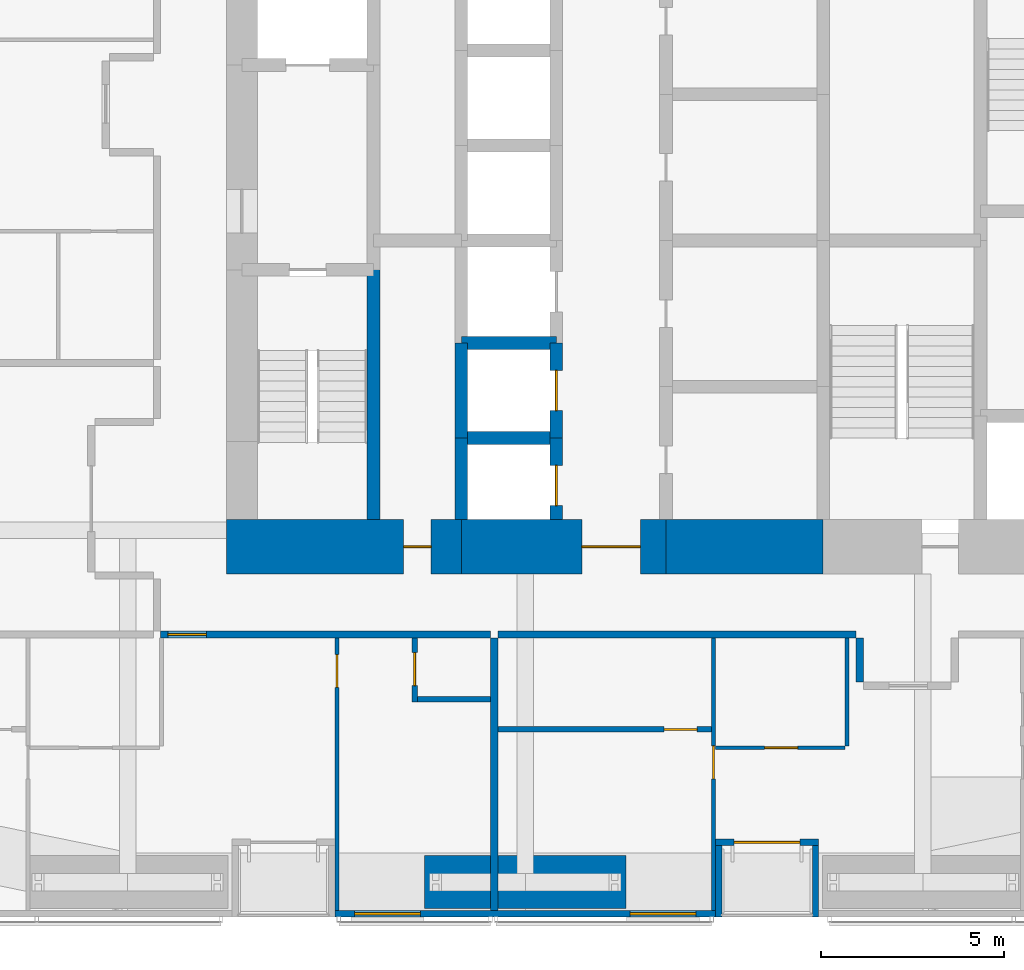
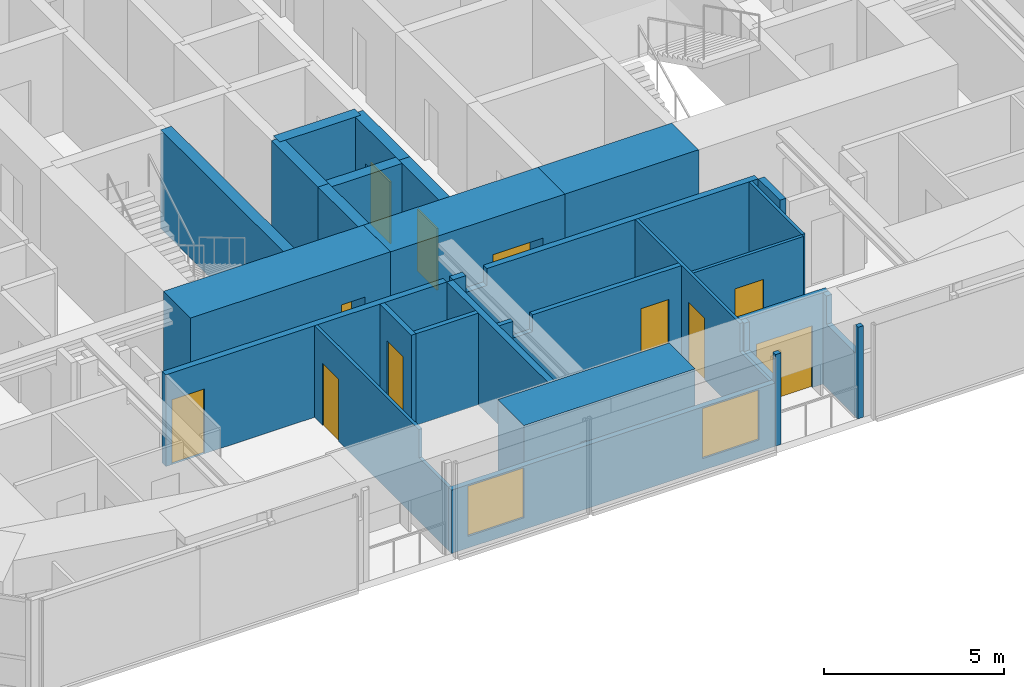
# One storey, part 18 of 24: 26 walls, 11 doors, 2 windows, 13 openings.
"""IFC4 building model written with IfcOpenShell, lengths in metres."""

from ifc_helpers import new_model, si_unit, direction, frame, frame_2d, origin, place, context, subcontext, project, spatial, polyline, rectangle, outline, extrude, material, layer, layer_set, constituent, constituent_set, type_object, element, fill, save


model = new_model("IFC4")

# Units and contexts
model_context = context("Model", 3, precision=1e-05, world=origin(), true_north=direction((0.0, 1.0)))
body_context = subcontext(model_context, "Body", "Model", "MODEL_VIEW")
ifc_project = project(units=[si_unit("LENGTHUNIT", "METRE"), si_unit("AREAUNIT", "SQUARE_METRE"), si_unit("VOLUMEUNIT", "CUBIC_METRE"), si_unit("PLANEANGLEUNIT", "RADIAN"), si_unit("MASSUNIT", "GRAM", prefix="KILO")], contexts=[model_context])

# Site, building, storey
site_placement = place(None, origin())
site = spatial("IfcSite", under=ifc_project, at=site_placement, CompositionType="ELEMENT")
building_placement = place(site_placement, origin())
building = spatial("IfcBuilding", under=site, at=building_placement, Name="Jalousie Tower", CompositionType="ELEMENT")
storey_placement = place(building_placement, frame((0.0, 0.0, 124.949951171875)))
storey = spatial("IfcBuildingStorey", under=building, at=storey_placement, Name="L34", CompositionType="ELEMENT", Elevation=124.949951171875)

# Wall, opening, door
ifc_material_1 = material(Name="Concrete block ASTM C90", Category="concrete")
ifc_constituent_1 = constituent(ifc_material_1, Name="Body")
ifc_material_2 = material(Name="Render")
ifc_constituent_2 = constituent(ifc_material_2, Name="Finish")
ifc_constituent_set_1 = constituent_set(constituents=[ifc_constituent_1, ifc_constituent_2])
wall_type_1 = type_object("IfcWallType", Name="BATHROOM WALL 150", PredefinedType="PLUMBINGWALL", material=ifc_constituent_set_1)
wall_1_placement = place(storey_placement, frame((27.0, 5.125, 0.0), z_axis=(0.0, 0.0, 1.0), x_axis=(1.0, 0.0, 0.0)))
wall_1 = element("IfcWall", 1, at=wall_1_placement, inside=storey, type_object=wall_type_1, Name="Bathroom Wall 150 L34", PredefinedType="PLUMBINGWALL", context=body_context, shape_type="SweptSolid", body=[
    extrude(outline(polyline([(0.0, 0.0), (5.85009765625, 0.0), (5.85009765625, 3.110107421875), (1.0625, 3.110107421875), (1.0625, 2.541015625), (0.4375, 2.541015625), (0.4375, 3.110107421875), (0.0, 3.110107421875), (0.0, 0.0)])), frame((0.0, 0.074951171875, 0.0), z_axis=(0.0, -1.0, 0.0), x_axis=(1.0, 0.0, 0.0)), (0.0, 0.0, 1.0), 0.14990234375),
])
opening_1_placement = place(wall_1_placement, frame((4.550048828125, 0.0, 0.0)))
opening_1 = element("IfcOpeningElement", 2, at=opening_1_placement, cuts=wall_1, Name="Opening D3", PredefinedType="OPENING", context=body_context, shape_type="SweptSolid", body=[
    extrude(rectangle(XDim=0.89990234375, YDim=2.10009765625, at=frame_2d((0.449951171875, 1.050048828125))), frame((0.0, 0.0849609375, 0.0), z_axis=(0.0, -1.0, 0.0), x_axis=(1.0, 0.0, 0.0)), (0.0, 0.0, 1.0), 0.169921875),
])
ifc_material_3 = material(Name="Timber door", Category="wood")
door_type_1 = type_object("IfcDoorType", Name="BATHROOM DOOR 900", OperationType="SINGLE_SWING_LEFT", PredefinedType="DOOR", material=ifc_material_3)
door_1_placement = place(opening_1_placement, origin())
door_1 = element("IfcDoor", 3, at=door_1_placement, inside=storey, type_object=door_type_1, Name="Apartment 3402 bedroom 1 bathroom door", OperationType="SINGLE_SWING_RIGHT", OverallHeight=2.10009765625, OverallWidth=0.89990234375, PredefinedType="DOOR", context=body_context, shape_type="SweptSolid", body=[
    extrude(rectangle(XDim=0.89990234375, YDim=2.10009765625, at=frame_2d((0.449951171875, 1.050048828125))), frame((0.0, 0.02490234375, 0.0), z_axis=(0.0, -1.0, 0.0), x_axis=(1.0, 0.0, 0.0)), (0.0, 0.0, 1.0), 0.050048828125),
])
fill(opening_1, door_1)

wall_2_placement = place(storey_placement, frame((24.72509765625, 7.625, 0.0), z_axis=(0.0, 0.0, 1.0), x_axis=(0.0, -1.0, 0.0)))
wall_2 = element("IfcWall", 4, at=wall_2_placement, inside=storey, type_object=wall_type_1, Name="Bathroom Wall 150 L34", PredefinedType="PLUMBINGWALL", context=body_context, shape_type="SweptSolid", body=[
    extrude(rectangle(XDim=1.75, YDim=0.14990234375, at=frame_2d((0.875, 0.0))), origin(), (0.0, 0.0, 1.0), 3.110107421875),
])
opening_2_placement = place(wall_2_placement, frame((0.39990234375, 0.0, 0.0)))
opening_2 = element("IfcOpeningElement", 5, at=opening_2_placement, cuts=wall_2, Name="Opening D7", PredefinedType="OPENING", context=body_context, shape_type="SweptSolid", body=[
    extrude(rectangle(XDim=0.89990234375, YDim=2.10009765625, at=frame_2d((0.449951171875, 1.050048828125))), frame((0.0, 0.0849609375, 0.0), z_axis=(0.0, -1.0, 0.0), x_axis=(1.0, 0.0, 0.0)), (0.0, 0.0, 1.0), 0.169921875),
])
ifc_material_4 = material(Name="Timber door", Category="wood")
door_type_2 = type_object("IfcDoorType", Name="INTERNAL DOOR 900", OperationType="SINGLE_SWING_LEFT", PredefinedType="DOOR", material=ifc_material_4)
door_2_placement = place(opening_2_placement, origin())
door_2 = element("IfcDoor", 6, at=door_2_placement, inside=storey, type_object=door_type_2, Name="Apartment 3401 guest WC door", OperationType="SINGLE_SWING_RIGHT", OverallHeight=2.10009765625, OverallWidth=0.89990234375, PredefinedType="DOOR", context=body_context, shape_type="SweptSolid", body=[
    extrude(rectangle(XDim=0.89990234375, YDim=2.10009765625, at=frame_2d((0.449951171875, 1.050048828125))), frame((0.0, 0.02490234375, 0.0), z_axis=(0.0, -1.0, 0.0), x_axis=(1.0, 0.0, 0.0)), (0.0, 0.0, 1.0), 0.050048828125),
])
fill(opening_2, door_2)

# Wall
wall_3_placement = place(storey_placement, frame((26.800048828125, 5.949951171875, 0.0), z_axis=(0.0, 0.0, 1.0), x_axis=(-1.0, 0.0, 0.0)))
element("IfcWall", 7, at=wall_3_placement, inside=storey, type_object=wall_type_1, Name="Bathroom Wall 150 L34", PredefinedType="PLUMBINGWALL", context=body_context, shape_type="SweptSolid", body=[
    extrude(rectangle(XDim=2.0, YDim=0.14990234375, at=frame_2d((1.0, 0.0))), origin(), (0.0, 0.0, 1.0), 3.110107421875),
])

# Wall, opening, door
ifc_material_5 = material(Name="Concrete f'c 120 MPa", Category="concrete")
ifc_layer_1 = layer(ifc_material_5, 1.5)
ifc_layer_set_1 = layer_set([ifc_layer_1], Name="Concrete f'c 120 MPa")
wall_type_2 = type_object("IfcWallType", Name="CORE WALL 1500", PredefinedType="SHEAR", material=ifc_layer_set_1)
wall_4_placement = place(storey_placement, frame((19.574951171875, 10.125, 0.0), z_axis=(0.0, 0.0, 1.0), x_axis=(1.0, 0.0, 0.0)))
wall_4 = element("IfcWall", 8, at=wall_4_placement, inside=storey, type_object=wall_type_2, Name="Core wall SA L34", PredefinedType="SHEAR", context=body_context, shape_type="SweptSolid", body=[
    extrude(rectangle(XDim=6.425048828125, YDim=1.5, at=frame_2d((3.21240234375, 0.0))), origin(), (0.0, 0.0, 1.0), 3.35009765625),
])
opening_3_placement = place(wall_4_placement, frame((4.85009765625, 0.0, 0.0)))
opening_3 = element("IfcOpeningElement", 9, at=opening_3_placement, cuts=wall_4, Name="Opening D16", PredefinedType="OPENING", context=body_context, shape_type="SweptSolid", body=[
    extrude(rectangle(XDim=0.75, YDim=2.10009765625, at=frame_2d((0.375, 1.050048828125))), frame((0.0, 0.760009765625, 0.0), z_axis=(0.0, -1.0, 0.0), x_axis=(1.0, 0.0, 0.0)), (0.0, 0.0, 1.0), 1.52001953125),
])
ifc_material_6 = material(Name="Steel fire door", Category="steel")
door_type_3 = type_object("IfcDoorType", Name="RISER DOOR 750", OperationType="SINGLE_SWING_LEFT", PredefinedType="DOOR", material=ifc_material_6)
door_3_placement = place(opening_3_placement, origin())
door_3 = element("IfcDoor", 10, at=door_3_placement, inside=storey, type_object=door_type_3, Name="South riser door", OperationType="SINGLE_SWING_LEFT", OverallHeight=2.10009765625, OverallWidth=0.75, PredefinedType="DOOR", context=body_context, shape_type="SweptSolid", body=[
    extrude(rectangle(XDim=0.75, YDim=2.10009765625, at=frame_2d((0.375, 1.050048828125))), frame((0.0, 0.02490234375, 0.0), z_axis=(0.0, -1.0, 0.0), x_axis=(1.0, 0.0, 0.0)), (0.0, 0.0, 1.0), 0.050048828125),
])
fill(opening_3, door_3)

wall_5_placement = place(storey_placement, frame((26.0, 10.125, 0.0), z_axis=(0.0, 0.0, 1.0), x_axis=(1.0, 0.0, 0.0)))
wall_5 = element("IfcWall", 11, at=wall_5_placement, inside=storey, type_object=wall_type_2, Name="Core wall SB L34", PredefinedType="SHEAR", context=body_context, shape_type="SweptSolid", body=[
    extrude(rectangle(XDim=5.60009765625, YDim=1.5, at=frame_2d((2.800048828125, 0.0))), origin(), (0.0, 0.0, 1.0), 3.35009765625),
])
opening_4_placement = place(wall_5_placement, frame((3.300048828125, 0.0, 0.0)))
opening_4 = element("IfcOpeningElement", 12, at=opening_4_placement, cuts=wall_5, Name="Opening D15", PredefinedType="OPENING", context=body_context, shape_type="SweptSolid", body=[
    extrude(rectangle(XDim=1.60009765625, YDim=2.10009765625, at=frame_2d((0.800048828125, 1.050048828125))), frame((0.0, 0.760009765625, 0.0), z_axis=(0.0, -1.0, 0.0), x_axis=(1.0, 0.0, 0.0)), (0.0, 0.0, 1.0), 1.52001953125),
])
ifc_material_7 = material(Name="Steel fire door", Category="steel")
door_type_4 = type_object("IfcDoorType", Name="LIFT LOBBY DOOR 1600", OperationType="DOUBLE_DOOR_SINGLE_SWING", PredefinedType="DOOR", material=ifc_material_7)
door_4_placement = place(opening_4_placement, origin())
door_4 = element("IfcDoor", 13, at=door_4_placement, inside=storey, type_object=door_type_4, Name="Lift lobby south door", OperationType="DOUBLE_DOOR_SINGLE_SWING", OverallHeight=2.10009765625, OverallWidth=1.60009765625, PredefinedType="DOOR", context=body_context, shape_type="SweptSolid", body=[
    extrude(rectangle(XDim=1.60009765625, YDim=2.10009765625, at=frame_2d((0.800048828125, 1.050048828125))), frame((0.0, 0.02490234375, 0.0), z_axis=(0.0, -1.0, 0.0), x_axis=(1.0, 0.0, 0.0)), (0.0, 0.0, 1.0), 0.050048828125),
])
fill(opening_4, door_4)

# Walls
wall_6_placement = place(storey_placement, frame((31.60009765625, 10.125, 0.0), z_axis=(0.0, 0.0, 1.0), x_axis=(1.0, 0.0, 0.0)))
element("IfcWall", 14, at=wall_6_placement, inside=storey, type_object=wall_type_2, Name="Core wall SC L34", PredefinedType="SHEAR", context=body_context, shape_type="SweptSolid", body=[
    extrude(rectangle(XDim=4.2998046875, YDim=1.5, at=frame_2d((2.14990234375, 0.0))), origin(), (0.0, 0.0, 1.0), 3.35009765625),
])
ifc_material_8 = material(Name="Concrete f'c 120 MPa", Category="concrete")
ifc_layer_2 = layer(ifc_material_8, 0.35009765625)
ifc_layer_set_2 = layer_set([ifc_layer_2], Name="Concrete f'c 120 MPa")
wall_type_3 = type_object("IfcWallType", Name="CORE WALL 350", PredefinedType="SHEAR", material=ifc_layer_set_2)
wall_7_placement = place(storey_placement, frame((23.60009765625, 10.875, 0.0), z_axis=(0.0, 0.0, 1.0), x_axis=(0.0, 1.0, 0.0)))
element("IfcWall", 15, at=wall_7_placement, inside=storey, type_object=wall_type_3, Name="Core wall X23.6A L34", PredefinedType="SHEAR", context=body_context, shape_type="SweptSolid", body=[
    extrude(rectangle(XDim=6.824951171875, YDim=0.35009765625, at=frame_2d((3.41259765625, 0.0))), origin(), (0.0, 0.0, 1.0), 3.35009765625),
])
wall_8_placement = place(storey_placement, frame((26.0, 10.875, 0.0), z_axis=(0.0, 0.0, 1.0), x_axis=(0.0, 1.0, 0.0)))
element("IfcWall", 16, at=wall_8_placement, inside=storey, type_object=wall_type_3, Name="Core wall X26A L34", PredefinedType="SHEAR", context=body_context, shape_type="SweptSolid", body=[
    extrude(rectangle(XDim=2.22509765625, YDim=0.35009765625, at=frame_2d((1.112548828125, 0.0))), origin(), (0.0, 0.0, 1.0), 3.35009765625),
])
wall_9_placement = place(storey_placement, frame((26.0, 13.10009765625, 0.0), z_axis=(0.0, 0.0, 1.0), x_axis=(0.0, 1.0, 0.0)))
element("IfcWall", 17, at=wall_9_placement, inside=storey, type_object=wall_type_3, Name="Core wall X26B L34", PredefinedType="SHEAR", context=body_context, shape_type="SweptSolid", body=[
    extrude(rectangle(XDim=2.599853515625, YDim=0.35009765625, at=frame_2d((1.2998046875, 0.0))), origin(), (0.0, 0.0, 1.0), 3.35009765625),
])

# Wall, opening, door
wall_10_placement = place(storey_placement, frame((28.60009765625, 10.875, 0.0), z_axis=(0.0, 0.0, 1.0), x_axis=(0.0, 1.0, 0.0)))
wall_10 = element("IfcWall", 18, at=wall_10_placement, inside=storey, type_object=wall_type_3, Name="Core wall X28.6A L34", PredefinedType="SHEAR", context=body_context, shape_type="SweptSolid", body=[
    extrude(rectangle(XDim=2.22509765625, YDim=0.35009765625, at=frame_2d((1.112548828125, 0.0))), origin(), (0.0, 0.0, 1.0), 3.35009765625),
])
opening_5_placement = place(wall_10_placement, frame((0.375, 0.0, 0.0)))
opening_5 = element("IfcOpeningElement", 19, at=opening_5_placement, cuts=wall_10, Name="Opening LD1", PredefinedType="OPENING", context=body_context, shape_type="SweptSolid", body=[
    extrude(rectangle(XDim=1.10009765625, YDim=2.10009765625, at=frame_2d((0.550048828125, 1.050048828125))), frame((0.0, 0.18505859375, 0.0), z_axis=(0.0, -1.0, 0.0), x_axis=(1.0, 0.0, 0.0)), (0.0, 0.0, 1.0), 0.3701171875),
])
ifc_material_9 = material(Name="Steel lift landing door", Category="steel")
door_type_5 = type_object("IfcDoorType", Name="LIFT LANDING DOOR 1100", OperationType="SLIDING_TO_LEFT", PredefinedType="DOOR", material=ifc_material_9)
door_5_placement = place(opening_5_placement, origin())
door_5 = element("IfcDoor", 20, at=door_5_placement, inside=storey, type_object=door_type_5, Name="Lift P1 landing door", OperationType="SLIDING_TO_LEFT", OverallHeight=2.10009765625, OverallWidth=1.10009765625, PredefinedType="DOOR", context=body_context, shape_type="SweptSolid", body=[
    extrude(rectangle(XDim=1.10009765625, YDim=2.10009765625, at=frame_2d((0.550048828125, 1.050048828125))), frame((0.0, 0.02490234375, 0.0), z_axis=(0.0, -1.0, 0.0), x_axis=(1.0, 0.0, 0.0)), (0.0, 0.0, 1.0), 0.050048828125),
])
fill(opening_5, door_5)

wall_11_placement = place(storey_placement, frame((28.60009765625, 13.10009765625, 0.0), z_axis=(0.0, 0.0, 1.0), x_axis=(0.0, 1.0, 0.0)))
wall_11 = element("IfcWall", 21, at=wall_11_placement, inside=storey, type_object=wall_type_3, Name="Core wall X28.6B L34", PredefinedType="SHEAR", context=body_context, shape_type="SweptSolid", body=[
    extrude(rectangle(XDim=2.599853515625, YDim=0.35009765625, at=frame_2d((1.2998046875, 0.0))), origin(), (0.0, 0.0, 1.0), 3.35009765625),
])
opening_6_placement = place(wall_11_placement, frame((0.75, 0.0, 0.0)))
opening_6 = element("IfcOpeningElement", 22, at=opening_6_placement, cuts=wall_11, Name="Opening LD1", PredefinedType="OPENING", context=body_context, shape_type="SweptSolid", body=[
    extrude(rectangle(XDim=1.10009765625, YDim=2.10009765625, at=frame_2d((0.550048828125, 1.050048828125))), frame((0.0, 0.18505859375, 0.0), z_axis=(0.0, -1.0, 0.0), x_axis=(1.0, 0.0, 0.0)), (0.0, 0.0, 1.0), 0.3701171875),
])
door_6_placement = place(opening_6_placement, origin())
door_6 = element("IfcDoor", 23, at=door_6_placement, inside=storey, type_object=door_type_5, Name="Lift P2 landing door", OperationType="SLIDING_TO_LEFT", OverallHeight=2.10009765625, OverallWidth=1.10009765625, PredefinedType="DOOR", context=body_context, shape_type="SweptSolid", body=[
    extrude(rectangle(XDim=1.10009765625, YDim=2.10009765625, at=frame_2d((0.550048828125, 1.050048828125))), frame((0.0, 0.02490234375, 0.0), z_axis=(0.0, -1.0, 0.0), x_axis=(1.0, 0.0, 0.0)), (0.0, 0.0, 1.0), 0.050048828125),
])
fill(opening_6, door_6)

# Walls
for number, where, z_axis, x_axis, name in (
    (24, (26.0, 13.10009765625, 0.0), (0.0, 0.0, 1.0), (1.0, 0.0, 0.0), "Core wall Y26-13.1 L34"),
    (25, (26.0, 15.699951171875, 0.0), (0.0, 0.0, 1.0), (1.0, 0.0, 0.0), "Core wall Y26-15.7 L34"),
):
    element("IfcWall", number, at=place(storey_placement, frame(where, z_axis=z_axis, x_axis=x_axis)), inside=storey, type_object=wall_type_3, Name=name, PredefinedType="SHEAR", context=body_context, shape_type="SweptSolid", body=[
        extrude(rectangle(XDim=2.60009765625, YDim=0.35009765625, at=frame_2d((1.300048828125, 0.0))), origin(), (0.0, 0.0, 1.0), 3.35009765625),
    ])

# Wall, opening, door
ifc_material_10 = material(Name="Concrete block ASTM C90", Category="concrete")
ifc_constituent_3 = constituent(ifc_material_10, Name="Body")
ifc_material_11 = material(Name="Render")
ifc_constituent_4 = constituent(ifc_material_11, Name="Finish")
ifc_constituent_set_2 = constituent_set(constituents=[ifc_constituent_3, ifc_constituent_4])
wall_type_4 = type_object("IfcWallType", Name="CORRIDOR WALL 200", PredefinedType="PARTITIONING", material=ifc_constituent_set_2)
wall_12_placement = place(storey_placement, frame((17.77490234375, 7.72509765625, 0.0), z_axis=(0.0, 0.0, 1.0), x_axis=(1.0, 0.0, 0.0)))
wall_12 = element("IfcWall", 26, at=wall_12_placement, inside=storey, type_object=wall_type_4, Name="Corridor Wall 200 L34", PredefinedType="PARTITIONING", context=body_context, shape_type="SweptSolid", body=[
    extrude(rectangle(XDim=9.025146484375, YDim=0.199951171875, at=frame_2d((4.5126953125, 0.0))), origin(), (0.0, 0.0, 1.0), 3.110107421875),
])
opening_7_placement = place(wall_12_placement, frame((0.199951171875, 0.0, 0.0)))
opening_7 = element("IfcOpeningElement", 27, at=opening_7_placement, cuts=wall_12, Name="Opening D1", PredefinedType="OPENING", context=body_context, shape_type="SweptSolid", body=[
    extrude(rectangle(XDim=1.050048828125, YDim=2.199951171875, at=frame_2d((0.52490234375, 1.10009765625))), frame((0.0, 0.10986328125, 0.0), z_axis=(0.0, -1.0, 0.0), x_axis=(1.0, 0.0, 0.0)), (0.0, 0.0, 1.0), 0.219970703125),
])
ifc_material_12 = material(Name="Timber fire door", Category="wood")
door_type_6 = type_object("IfcDoorType", Name="APARTMENT ENTRANCE DOOR 1050", OperationType="SINGLE_SWING_LEFT", PredefinedType="DOOR", material=ifc_material_12)
door_7_placement = place(opening_7_placement, frame((1.050048828125, 0.0, 0.0), z_axis=(0.0, 0.0, 1.0), x_axis=(-1.0, 0.0, 0.0)))
door_7 = element("IfcDoor", 28, at=door_7_placement, inside=storey, type_object=door_type_6, Name="Apartment 3401 entrance", OperationType="SINGLE_SWING_RIGHT", OverallHeight=2.199951171875, OverallWidth=1.050048828125, PredefinedType="DOOR", context=body_context, shape_type="SweptSolid", body=[
    extrude(rectangle(XDim=1.050048828125, YDim=2.199951171875, at=frame_2d((0.52490234375, 1.10009765625))), frame((0.0, 0.02490234375, 0.0), z_axis=(0.0, -1.0, 0.0), x_axis=(1.0, 0.0, 0.0)), (0.0, 0.0, 1.0), 0.050048828125),
])
fill(opening_7, door_7)

# Walls
wall_13_placement = place(storey_placement, frame((27.0, 7.72509765625, 0.0), z_axis=(0.0, 0.0, 1.0), x_axis=(1.0, 0.0, 0.0)))
element("IfcWall", 29, at=wall_13_placement, inside=storey, type_object=wall_type_4, Name="Corridor Wall 200 L34", PredefinedType="PARTITIONING", context=body_context, shape_type="SweptSolid", body=[
    extrude(outline(polyline([(0.0, 0.0), (9.800048828125, 0.0), (9.800048828125, 3.110107421875), (1.08740234375, 3.110107421875), (1.08740234375, 2.541015625), (0.41259765625, 2.541015625), (0.41259765625, 3.110107421875), (0.0, 3.110107421875), (0.0, 0.0)])), frame((0.0, 0.10009765625, 0.0), z_axis=(0.0, -1.0, 0.0), x_axis=(1.0, 0.0, 0.0)), (0.0, 0.0, 1.0), 0.199951171875),
])
wall_14_placement = place(storey_placement, frame((36.89990234375, 7.625, 0.0), z_axis=(0.0, 0.0, 1.0), x_axis=(0.0, -1.0, 0.0)))
element("IfcWall", 30, at=wall_14_placement, inside=storey, type_object=wall_type_4, Name="Corridor Wall 200 L34", PredefinedType="PARTITIONING", context=body_context, shape_type="SweptSolid", body=[
    extrude(rectangle(XDim=1.199951171875, YDim=0.199951171875, at=frame_2d((0.60009765625, 0.0))), origin(), (0.0, 0.0, 1.0), 3.110107421875),
])

# Wall, openings, windows
ifc_material_13 = material(Name="Concrete f'c 40 MPa", Category="concrete")
ifc_constituent_5 = constituent(ifc_material_13, Name="Body")
ifc_material_14 = material(Name="Render, pastel sea green")
ifc_constituent_6 = constituent(ifc_material_14, Name="Finish")
ifc_constituent_set_3 = constituent_set(constituents=[ifc_constituent_5, ifc_constituent_6])
wall_type_5 = type_object("IfcWallType", Name="EXTERNAL WALL 175 SEA GREEN RENDER", PredefinedType="SOLIDWALL", material=ifc_constituent_set_3)
wall_15_placement = place(storey_placement, frame((22.550048828125, 0.08740234375, 0.0), z_axis=(0.0, 0.0, 1.0), x_axis=(1.0, 0.0, 0.0)))
wall_15 = element("IfcWall", 31, at=wall_15_placement, inside=storey, type_object=wall_type_5, Name="External Wall 175 Sea Green Render L34", PredefinedType="SOLIDWALL", context=body_context, shape_type="SweptSolid", body=[
    extrude(rectangle(XDim=10.39990234375, YDim=0.175048828125, at=frame_2d((5.199951171875, 0.0))), origin(), (0.0, 0.0, 1.0), 2.150146484375),
])
opening_8_placement = place(wall_15_placement, frame((0.532470703125, 0.0, 0.39990234375)))
opening_8 = element("IfcOpeningElement", 32, at=opening_8_placement, cuts=wall_15, Name="Opening W-BED170", PredefinedType="OPENING", context=body_context, shape_type="SweptSolid", body=[
    extrude(rectangle(XDim=1.800048828125, YDim=1.699951171875, at=frame_2d((0.89990234375, 0.85009765625))), frame((0.0, 0.097412109375, 0.0), z_axis=(0.0, -1.0, 0.0), x_axis=(1.0, 0.0, 0.0)), (0.0, 0.0, 1.0), 0.195068359375),
])
opening_9_placement = place(wall_15_placement, frame((8.06494140625, 0.0, 0.39990234375)))
opening_9 = element("IfcOpeningElement", 33, at=opening_9_placement, cuts=wall_15, Name="Opening W-BED170", PredefinedType="OPENING", context=body_context, shape_type="SweptSolid", body=[
    extrude(rectangle(XDim=1.800048828125, YDim=1.699951171875, at=frame_2d((0.89990234375, 0.85009765625))), frame((0.0, 0.097412109375, 0.0), z_axis=(0.0, -1.0, 0.0), x_axis=(1.0, 0.0, 0.0)), (0.0, 0.0, 1.0), 0.195068359375),
])
ifc_material_15 = material(Name="Aluminium frame, impact-rated glazing", Category="aluminium")
window_type = type_object("IfcWindowType", Name="WINDOW BED 1800x1700", PartitioningType="SINGLE_PANEL", PredefinedType="WINDOW", material=ifc_material_15)
window_1_placement = place(opening_8_placement, origin())
window_1 = element("IfcWindow", 34, at=window_1_placement, inside=storey, type_object=window_type, Name="Apartment 3401 study window", OverallHeight=1.699951171875, OverallWidth=1.800048828125, PartitioningType="SINGLE_PANEL", PredefinedType="WINDOW", context=body_context, shape_type="SweptSolid", body=[
    extrude(rectangle(XDim=1.800048828125, YDim=1.699951171875, at=frame_2d((0.89990234375, 0.85009765625))), frame((0.0, 0.030029296875, 0.0), z_axis=(0.0, -1.0, 0.0), x_axis=(1.0, 0.0, 0.0)), (0.0, 0.0, 1.0), 0.06005859375),
])
fill(opening_8, window_1)
window_2_placement = place(opening_9_placement, origin())
window_2 = element("IfcWindow", 35, at=window_2_placement, inside=storey, type_object=window_type, Name="Apartment 3402 bedroom 1 window", OverallHeight=1.699951171875, OverallWidth=1.800048828125, PartitioningType="SINGLE_PANEL", PredefinedType="WINDOW", context=body_context, shape_type="SweptSolid", body=[
    extrude(rectangle(XDim=1.800048828125, YDim=1.699951171875, at=frame_2d((0.89990234375, 0.85009765625))), frame((0.0, 0.030029296875, 0.0), z_axis=(0.0, -1.0, 0.0), x_axis=(1.0, 0.0, 0.0)), (0.0, 0.0, 1.0), 0.06005859375),
])
fill(opening_9, window_2)

# Wall, opening, door
wall_16_placement = place(storey_placement, frame((32.949951171875, 2.03759765625, 0.0), z_axis=(0.0, 0.0, 1.0), x_axis=(1.0, 0.0, 0.0)))
wall_16 = element("IfcWall", 36, at=wall_16_placement, inside=storey, type_object=wall_type_5, Name="External Wall 175 Sea Green Render L34", PredefinedType="SOLIDWALL", context=body_context, shape_type="SweptSolid", body=[
    extrude(rectangle(XDim=2.824951171875, YDim=0.175048828125, at=frame_2d((1.41259765625, 0.0))), origin(), (0.0, 0.0, 1.0), 3.110107421875),
])
opening_10_placement = place(wall_16_placement, frame((0.512451171875, 0.0, 0.0)))
opening_10 = element("IfcOpeningElement", 37, at=opening_10_placement, cuts=wall_16, Name="Opening D-BAL21", PredefinedType="OPENING", context=body_context, shape_type="SweptSolid", body=[
    extrude(rectangle(XDim=1.800048828125, YDim=2.10009765625, at=frame_2d((0.89990234375, 1.050048828125))), frame((0.0, 0.097412109375, 0.0), z_axis=(0.0, -1.0, 0.0), x_axis=(1.0, 0.0, 0.0)), (0.0, 0.0, 1.0), 0.195068359375),
])
ifc_material_16 = material(Name="Aluminium frame, impact-rated glazing", Category="aluminium")
door_type_7 = type_object("IfcDoorType", Name="BALCONY DOOR 1800x2100", OperationType="SLIDING_TO_LEFT", PredefinedType="DOOR", material=ifc_material_16)
door_8_placement = place(opening_10_placement, origin())
door_8 = element("IfcDoor", 38, at=door_8_placement, inside=storey, type_object=door_type_7, Name="Apartment 3402 living and dining room loggia door", OperationType="SLIDING_TO_LEFT", OverallHeight=2.10009765625, OverallWidth=1.800048828125, PredefinedType="DOOR", context=body_context, shape_type="SweptSolid", body=[
    extrude(rectangle(XDim=1.800048828125, YDim=2.10009765625, at=frame_2d((0.89990234375, 1.050048828125))), frame((0.0, 0.02490234375, 0.0), z_axis=(0.0, -1.0, 0.0), x_axis=(1.0, 0.0, 0.0)), (0.0, 0.0, 1.0), 0.050048828125),
])
fill(opening_10, door_8)

# Walls
for number, where, z_axis, x_axis, name in (
    (39, (33.03759765625, 0.0, 0.0), (0.0, 0.0, 1.0), (0.0, 1.0, 0.0), "External Wall 175 Sea Green Render L34"),
    (40, (35.6875, 0.0, 0.0), (0.0, 0.0, 1.0), (0.0, 1.0, 0.0), "External Wall 175 Sea Green Render L34"),
):
    element("IfcWall", number, at=place(storey_placement, frame(where, z_axis=z_axis, x_axis=x_axis)), inside=storey, type_object=wall_type_5, Name=name, PredefinedType="SOLIDWALL", context=body_context, shape_type="SweptSolid", body=[
        extrude(outline(polyline([(0.0, 0.0), (1.949951171875, 0.0), (1.949951171875, 3.110107421875), (1.75, 3.110107421875), (1.75, 2.150146484375), (0.14990234375, 2.150146484375), (0.14990234375, 3.110107421875), (0.0, 3.110107421875), (0.0, 0.0)])), frame((0.0, 0.08740234375, 0.0), z_axis=(0.0, -1.0, 0.0), x_axis=(1.0, 0.0, 0.0)), (0.0, 0.0, 1.0), 0.175048828125),
    ])

# Wall, opening, door
ifc_material_17 = material(Name="Gypsum board", Category="gypsum")
ifc_constituent_7 = constituent(ifc_material_17, Name="Body")
ifc_material_18 = material(Name="Light-gauge steel studs ASTM A653 SS Grade 33", Category="steel")
ifc_constituent_8 = constituent(ifc_material_18, Name="Framing")
ifc_constituent_set_4 = constituent_set(constituents=[ifc_constituent_7, ifc_constituent_8])
wall_type_6 = type_object("IfcWallType", Name="PARTITION 100", PredefinedType="PARTITIONING", material=ifc_constituent_set_4)
wall_17_placement = place(storey_placement, frame((22.60009765625, 0.175048828125, 0.0), z_axis=(0.0, 0.0, 1.0), x_axis=(0.0, 1.0, 0.0)))
wall_17 = element("IfcWall", 41, at=wall_17_placement, inside=storey, type_object=wall_type_6, Name="Partition 100 L34", PredefinedType="PARTITIONING", context=body_context, shape_type="SweptSolid", body=[
    extrude(outline(polyline([(0.0, 0.0), (7.449951171875, 0.0), (7.449951171875, 3.110107421875), (1.635009765625, 3.110107421875), (1.635009765625, 2.150146484375), (0.0, 2.150146484375), (0.0, 3.110107421875), (0.0, 0.0)])), frame((0.0, 0.050048828125, 0.0), z_axis=(0.0, -1.0, 0.0), x_axis=(1.0, 0.0, 0.0)), (0.0, 0.0, 1.0), 0.10009765625),
])
opening_11_placement = place(wall_17_placement, frame((6.10009765625, 0.0, 0.0)))
opening_11 = element("IfcOpeningElement", 42, at=opening_11_placement, cuts=wall_17, Name="Opening D2", PredefinedType="OPENING", context=body_context, shape_type="SweptSolid", body=[
    extrude(rectangle(XDim=0.89990234375, YDim=2.10009765625, at=frame_2d((0.449951171875, 1.050048828125))), frame((0.0, 0.06005859375, 0.0), z_axis=(0.0, -1.0, 0.0), x_axis=(1.0, 0.0, 0.0)), (0.0, 0.0, 1.0), 0.1201171875),
])
ifc_material_19 = material(Name="Timber door", Category="wood")
door_type_8 = type_object("IfcDoorType", Name="BEDROOM DOOR 900", OperationType="SINGLE_SWING_LEFT", PredefinedType="DOOR", material=ifc_material_19)
door_9_placement = place(opening_11_placement, frame((0.89990234375, 0.0, 0.0), z_axis=(0.0, 0.0, 1.0), x_axis=(-1.0, 0.0, 0.0)))
door_9 = element("IfcDoor", 43, at=door_9_placement, inside=storey, type_object=door_type_8, Name="Apartment 3401 study door", OperationType="SINGLE_SWING_LEFT", OverallHeight=2.10009765625, OverallWidth=0.89990234375, PredefinedType="DOOR", context=body_context, shape_type="SweptSolid", body=[
    extrude(rectangle(XDim=0.89990234375, YDim=2.10009765625, at=frame_2d((0.449951171875, 1.050048828125))), frame((0.0, 0.02490234375, 0.0), z_axis=(0.0, -1.0, 0.0), x_axis=(1.0, 0.0, 0.0)), (0.0, 0.0, 1.0), 0.050048828125),
])
fill(opening_11, door_9)

wall_18_placement = place(storey_placement, frame((32.89990234375, 0.175048828125, 0.0), z_axis=(0.0, 0.0, 1.0), x_axis=(0.0, 1.0, 0.0)))
wall_18 = element("IfcWall", 44, at=wall_18_placement, inside=storey, type_object=wall_type_6, Name="Partition 100 L34", PredefinedType="PARTITIONING", context=body_context, shape_type="SweptSolid", body=[
    extrude(outline(polyline([(0.0, 0.0), (7.449951171875, 0.0), (7.449951171875, 3.110107421875), (1.635009765625, 3.110107421875), (1.635009765625, 2.150146484375), (0.0, 2.150146484375), (0.0, 3.110107421875), (0.0, 0.0)])), frame((0.0, 0.050048828125, 0.0), z_axis=(0.0, -1.0, 0.0), x_axis=(1.0, 0.0, 0.0)), (0.0, 0.0, 1.0), 0.10009765625),
])
opening_12_placement = place(wall_18_placement, frame((3.60009765625, 0.0, 0.0)))
opening_12 = element("IfcOpeningElement", 45, at=opening_12_placement, cuts=wall_18, Name="Opening D2", PredefinedType="OPENING", context=body_context, shape_type="SweptSolid", body=[
    extrude(rectangle(XDim=0.89990234375, YDim=2.10009765625, at=frame_2d((0.449951171875, 1.050048828125))), frame((0.0, 0.06005859375, 0.0), z_axis=(0.0, -1.0, 0.0), x_axis=(1.0, 0.0, 0.0)), (0.0, 0.0, 1.0), 0.1201171875),
])
door_10_placement = place(opening_12_placement, origin())
door_10 = element("IfcDoor", 46, at=door_10_placement, inside=storey, type_object=door_type_8, Name="Apartment 3402 bedroom 1 door", OperationType="SINGLE_SWING_RIGHT", OverallHeight=2.10009765625, OverallWidth=0.89990234375, PredefinedType="DOOR", context=body_context, shape_type="SweptSolid", body=[
    extrude(rectangle(XDim=0.89990234375, YDim=2.10009765625, at=frame_2d((0.449951171875, 1.050048828125))), frame((0.0, 0.02490234375, 0.0), z_axis=(0.0, -1.0, 0.0), x_axis=(1.0, 0.0, 0.0)), (0.0, 0.0, 1.0), 0.050048828125),
])
fill(opening_12, door_10)

wall_19_placement = place(storey_placement, frame((32.949951171875, 4.625, 0.0), z_axis=(0.0, 0.0, 1.0), x_axis=(1.0, 0.0, 0.0)))
wall_19 = element("IfcWall", 47, at=wall_19_placement, inside=storey, type_object=wall_type_6, Name="Partition 100 L34", PredefinedType="PARTITIONING", context=body_context, shape_type="SweptSolid", body=[
    extrude(rectangle(XDim=3.550048828125, YDim=0.10009765625, at=frame_2d((1.77490234375, 0.0))), origin(), (0.0, 0.0, 1.0), 3.110107421875),
])
opening_13_placement = place(wall_19_placement, frame((1.35009765625, 0.0, 0.0)))
opening_13 = element("IfcOpeningElement", 48, at=opening_13_placement, cuts=wall_19, Name="Opening D7", PredefinedType="OPENING", context=body_context, shape_type="SweptSolid", body=[
    extrude(rectangle(XDim=0.89990234375, YDim=2.10009765625, at=frame_2d((0.449951171875, 1.050048828125))), frame((0.0, 0.06005859375, 0.0), z_axis=(0.0, -1.0, 0.0), x_axis=(1.0, 0.0, 0.0)), (0.0, 0.0, 1.0), 0.1201171875),
])
door_11_placement = place(opening_13_placement, origin())
door_11 = element("IfcDoor", 49, at=door_11_placement, inside=storey, type_object=door_type_2, Name="Apartment 3402 kitchen door", OperationType="SINGLE_SWING_RIGHT", OverallHeight=2.10009765625, OverallWidth=0.89990234375, PredefinedType="DOOR", context=body_context, shape_type="SweptSolid", body=[
    extrude(rectangle(XDim=0.89990234375, YDim=2.10009765625, at=frame_2d((0.449951171875, 1.050048828125))), frame((0.0, 0.02490234375, 0.0), z_axis=(0.0, -1.0, 0.0), x_axis=(1.0, 0.0, 0.0)), (0.0, 0.0, 1.0), 0.050048828125),
])
fill(opening_13, door_11)

# Walls
wall_20_placement = place(storey_placement, frame((36.550048828125, 4.675048828125, 0.0), z_axis=(0.0, 0.0, 1.0), x_axis=(0.0, 1.0, 0.0)))
element("IfcWall", 50, at=wall_20_placement, inside=storey, type_object=wall_type_6, Name="Partition 100 L34", PredefinedType="PARTITIONING", context=body_context, shape_type="SweptSolid", body=[
    extrude(rectangle(XDim=2.949951171875, YDim=0.10009765625, at=frame_2d((1.47509765625, 0.0))), origin(), (0.0, 0.0, 1.0), 3.110107421875),
])
ifc_material_20 = material(Name="Concrete block ASTM C90", Category="concrete")
ifc_constituent_9 = constituent(ifc_material_20, Name="Body")
ifc_material_21 = material(Name="Render")
ifc_constituent_10 = constituent(ifc_material_21, Name="Finish")
ifc_constituent_set_5 = constituent_set(constituents=[ifc_constituent_9, ifc_constituent_10])
wall_type_7 = type_object("IfcWallType", Name="PARTY WALL 200", PredefinedType="PARTITIONING", material=ifc_constituent_set_5)
wall_21_placement = place(storey_placement, frame((26.89990234375, 0.175048828125, 0.0), z_axis=(0.0, 0.0, 1.0), x_axis=(0.0, 1.0, 0.0)))
element("IfcWall", 51, at=wall_21_placement, inside=storey, type_object=wall_type_7, Name="Party Wall 200 L34", PredefinedType="PARTITIONING", context=body_context, shape_type="SweptSolid", body=[
    extrude(outline(polyline([(0.52880859375, 2.150146484375), (0.0, 2.150146484375), (0.0, 0.0), (0.52880859375, 0.0), (0.52880859375, 0.923095703125), (1.021240234375, 0.923095703125), (1.021240234375, 0.0), (7.449951171875, 0.0), (7.449951171875, 3.110107421875), (1.68505859375, 3.110107421875), (1.68505859375, 2.150146484375), (1.021240234375, 2.150146484375), (1.021240234375, 1.22705078125), (0.52880859375, 1.22705078125), (0.52880859375, 2.150146484375)])), frame((0.0, 0.10009765625, 0.0), z_axis=(0.0, -1.0, 0.0), x_axis=(1.0, 0.0, 0.0)), (0.0, 0.0, 1.0), 0.199951171875),
])
ifc_material_22 = material(Name="Concrete f'c 120 MPa", Category="concrete")
ifc_layer_3 = layer(ifc_material_22, 1.449951171875)
ifc_layer_set_3 = layer_set([ifc_layer_3], Name="Concrete f'c 120 MPa")
wall_type_8 = type_object("IfcWallType", Name="RC WALL PIER 1450", PredefinedType="SHEAR", material=ifc_layer_set_3)
wall_22_placement = place(storey_placement, frame((25.0, 0.949951171875, 0.0), z_axis=(0.0, 0.0, 1.0), x_axis=(1.0, 0.0, 0.0)))
element("IfcWall", 52, at=wall_22_placement, inside=storey, type_object=wall_type_8, Name="Wall pier 03 L34", PredefinedType="SHEAR", context=body_context, shape_type="SweptSolid", body=[
    extrude(rectangle(XDim=5.5, YDim=1.449951171875, at=frame_2d((2.75, 0.0))), origin(), (0.0, 0.0, 1.0), 3.35009765625),
])

save(model, "model.ifc")
